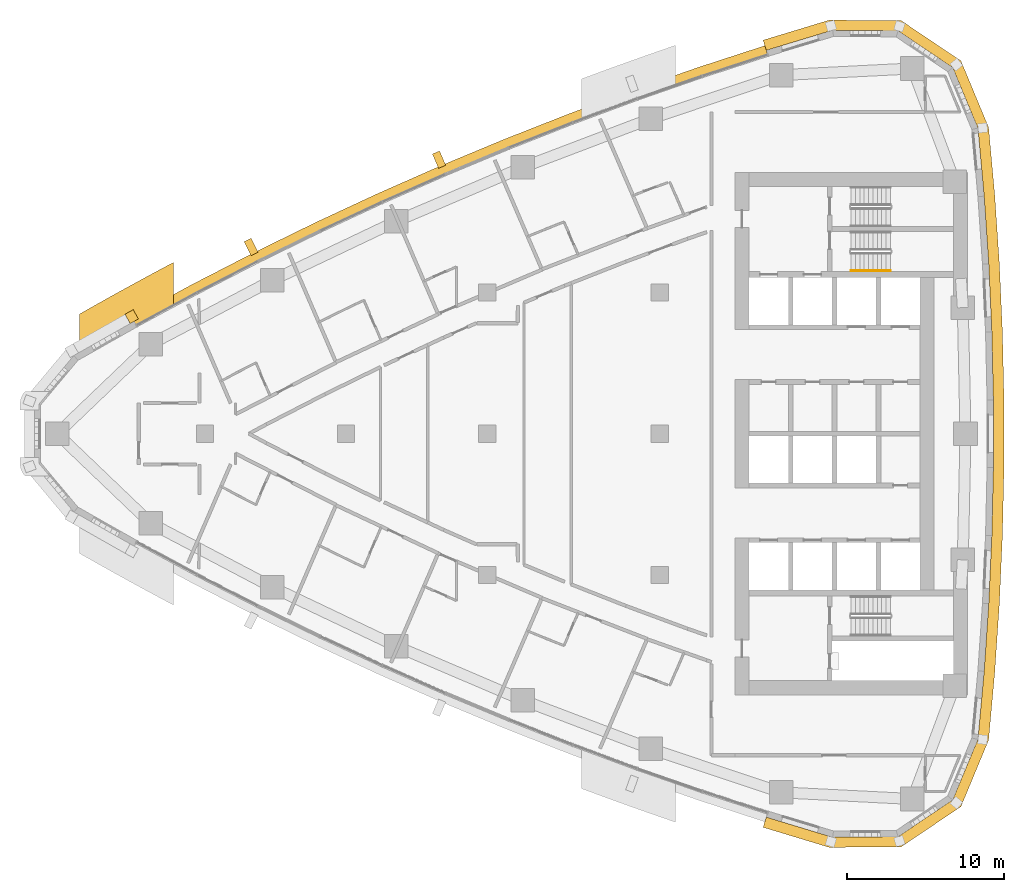
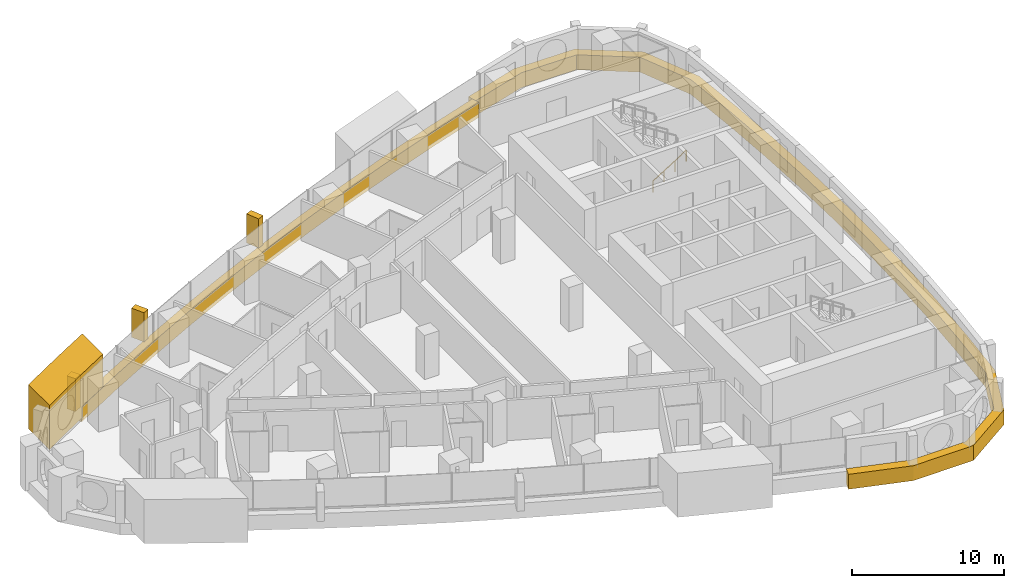
# One storey, part 16 of 17: 6 coverings, 1 railing.
"""IFC4 building model written with IfcOpenShell, lengths in metres."""

import ifcopenshell
import ifcopenshell.guid

model = None  # the IFC model being written
_history = None  # IfcOwnerHistory: only IFC2X3 demands one
_inside = {}  # id of a spatial element -> (the spatial element, [elements in it])
_under = {}  # id of a project, library or spatial element -> (it, [spatial elements below it])
_declared = {}  # id of a project -> (the project, [libraries it declares])
_typed = {}  # id of a type object -> (the type object, [elements of that type])
_made_of = {}  # id of a material, layer set ... -> (it, [elements and type objects made of it])


def new_model(schema):
    """Start an empty IFC model of exactly this schema.

    Asked for "IFC4X3", IfcOpenShell would pick the latest addendum, in which some entities
    have other attributes; the version numbers below select the first issue.
    IFC2X3 requires an IfcOwnerHistory on every rooted entity: one is made here for all.
    """
    global model, _history
    if schema == "IFC4X3":
        model = ifcopenshell.file(schema_version=(4, 3, 0, 0))
    else:
        model = ifcopenshell.file(schema=schema)
    _inside.clear()
    _under.clear()
    _declared.clear()
    _typed.clear()
    _made_of.clear()
    _history = None
    if model.schema == "IFC2X3":
        org = make("IfcOrganization", Name="unknown")
        user = make(
            "IfcPersonAndOrganization",
            ThePerson=make("IfcPerson", FamilyName="unknown"),
            TheOrganization=org,
        )
        app = make(
            "IfcApplication",
            ApplicationDeveloper=org,
            Version="unknown",
            ApplicationFullName="unknown",
            ApplicationIdentifier="unknown",
        )
        _history = make(
            "IfcOwnerHistory",
            OwningUser=user,
            OwningApplication=app,
            ChangeAction="ADDED",
            CreationDate=0,
        )
    return model


def make(cls, **values):
    """One entity of the class cls with the attributes given. An attribute that is None is left unset."""
    return model.create_entity(
        cls, **{name: value for name, value in values.items() if value is not None}
    )


def rooted(cls, **values):
    """An entity with a GlobalId (a new one), such as an element, a storey or a relation."""
    return make(cls, GlobalId=ifcopenshell.guid.new(), OwnerHistory=_history, **values)


def si_unit(unit_type, name, prefix=None):
    """IfcSIUnit, for example si_unit("LENGTHUNIT", "METRE", prefix="MILLI")."""
    return make("IfcSIUnit", UnitType=unit_type, Prefix=prefix, Name=name)


def assignment(units):
    """IfcUnitAssignment: the units of a project."""
    return None if units is None else make("IfcUnitAssignment", Units=units)


def point(xyz):
    """IfcCartesianPoint."""
    return None if xyz is None else make("IfcCartesianPoint", Coordinates=xyz)


def direction(xyz):
    """IfcDirection."""
    return None if xyz is None else make("IfcDirection", DirectionRatios=xyz)


def frame(location, z_axis=None, x_axis=None):
    """IfcAxis2Placement3D, a coordinate frame: its origin and axes. An axis left out is left unset."""
    return make(
        "IfcAxis2Placement3D",
        Location=point(location),
        Axis=direction(z_axis),
        RefDirection=direction(x_axis),
    )


def frame_2d(location, x_axis=None):
    """IfcAxis2Placement2D, a coordinate frame in the plane: its origin and x axis."""
    return make(
        "IfcAxis2Placement2D", Location=point(location), RefDirection=direction(x_axis)
    )


def origin():
    """The frame at (0, 0, 0) with its axes left unset."""
    return frame((0.0, 0.0, 0.0))


def origin_2d():
    """The frame at (0, 0) in the plane with its x axis left unset."""
    return frame_2d((0.0, 0.0))


def place(relative_to, where):
    """IfcLocalPlacement: puts the frame where relative to a parent placement (None: the world)."""
    return make(
        "IfcLocalPlacement", PlacementRelTo=relative_to, RelativePlacement=where
    )


def context(
    kind, dimensions, precision=None, world=None, true_north=None, identifier=None
):
    """IfcGeometricRepresentationContext, for example the 3D "Model" context."""
    return make(
        "IfcGeometricRepresentationContext",
        ContextIdentifier=identifier,
        ContextType=kind,
        CoordinateSpaceDimension=dimensions,
        Precision=precision,
        WorldCoordinateSystem=world,
        TrueNorth=true_north,
    )


def subcontext(parent, identifier, kind, view, scale=None):
    """IfcGeometricRepresentationSubContext, for example "Body" below "Model"."""
    return make(
        "IfcGeometricRepresentationSubContext",
        ContextIdentifier=identifier,
        ContextType=kind,
        ParentContext=parent,
        TargetScale=scale,
        TargetView=view,
    )


def project(units=None, contexts=None):
    """IfcProject with its units and contexts."""
    return rooted(
        "IfcProject",
        Name="project",
        RepresentationContexts=contexts,
        UnitsInContext=assignment(units),
    )


def spatial(cls, under=None, at=None, **own):
    """A site, building, storey or space (cls), placed at a placement, below another one or the project."""
    s = rooted(cls, ObjectPlacement=at, **own)
    if under is not None:
        _under.setdefault(under.id(), (under, []))[1].append(s)
    return s


def polyline(points):
    """IfcPolyline through the points."""
    return make("IfcPolyline", Points=[point(p) for p in points])


def profile(cls, at=None, kind="AREA", **sizes):
    """A parametric profile (cls). Its sizes go by their IFC names, for example OverallWidth=200.0."""
    return make(cls, ProfileType=kind, Position=at, **sizes)


def rectangle(**sizes):
    """IfcRectangleProfileDef."""
    return profile("IfcRectangleProfileDef", **sizes)


def circle(**sizes):
    """IfcCircleProfileDef."""
    return profile("IfcCircleProfileDef", **sizes)


def outline(outer, holes=None, kind="AREA"):
    """IfcArbitraryClosedProfileDef: a profile drawn as a closed curve; with holes, ...WithVoids."""
    if holes is None:
        return make("IfcArbitraryClosedProfileDef", ProfileType=kind, OuterCurve=outer)
    return make(
        "IfcArbitraryProfileDefWithVoids",
        ProfileType=kind,
        OuterCurve=outer,
        InnerCurves=holes,
    )


def extrude(swept, where, along, depth):
    """IfcExtrudedAreaSolid: the profile swept, set in the frame where, extruded along a direction by depth."""
    return make(
        "IfcExtrudedAreaSolid",
        SweptArea=swept,
        Position=where,
        ExtrudedDirection=direction(along),
        Depth=depth,
    )


def shape(context_of_items, identifier, shape_type, items):
    """IfcShapeRepresentation: the items that make up one representation, for example the "Body"."""
    return make(
        "IfcShapeRepresentation",
        ContextOfItems=context_of_items,
        RepresentationIdentifier=identifier,
        RepresentationType=shape_type,
        Items=items,
    )


def material(Name=None, Category=None):
    """IfcMaterial."""
    return make("IfcMaterial", Name=Name, Category=Category)


def layer(
    of_material, thickness, ventilated=None, Name=None, Category=None, Priority=None
):
    """IfcMaterialLayer: one layer of a wall or slab, of a material (None: an air gap)."""
    return make(
        "IfcMaterialLayer",
        Material=of_material,
        LayerThickness=thickness,
        IsVentilated=ventilated,
        Name=Name,
        Category=Category,
        Priority=Priority,
    )


def layer_set(layers, Name=None):
    """IfcMaterialLayerSet."""
    return make("IfcMaterialLayerSet", MaterialLayers=layers, LayerSetName=Name)


def made_of(thing, what):
    """Note that an element or type object is made of a material, layer set ...; save() writes the relation."""
    if what is not None:
        _made_of.setdefault(what.id(), (what, []))[1].append(thing)
    return thing


def type_object(cls, material=None, **own):
    """A type object (cls), such as IfcWallType, which elements share."""
    return made_of(rooted(cls, **own), material)


def element(
    cls,
    number,
    at=None,
    inside=None,
    cuts=None,
    type_object=None,
    material=None,
    context=None,
    identifier="Body",
    shape_type=None,
    held_by="IfcProductDefinitionShape",
    body=None,
    shapes=None,
    **own,
):
    """One element of the class cls, such as IfcWall. Its Tag is "e" and its number.

    at: its placement. inside: the storey or other place that contains it. cuts: it is an
    opening in that element (IfcRelVoidsElement). A single representation is given by context,
    identifier, shape_type and body (its items); several are given by shapes. held_by: the class
    of the entity that holds the representations. save() writes the other relations.
    """
    e = rooted(cls, Tag="e%d" % number, ObjectPlacement=at, **own)
    if body is not None:
        shapes = [shape(context, identifier, shape_type, body)]
    if shapes is not None:
        e.Representation = make(held_by, Representations=shapes)
    if inside is not None:
        _inside.setdefault(inside.id(), (inside, []))[1].append(e)
    if cuts is not None:
        rooted(
            "IfcRelVoidsElement", RelatingBuildingElement=cuts, RelatedOpeningElement=e
        )
    if type_object is not None:
        _typed.setdefault(type_object.id(), (type_object, []))[1].append(e)
    return made_of(e, material)


def aggregate(whole, parts):
    """IfcRelAggregates: a whole, such as a stair, and the parts it consists of."""
    return rooted("IfcRelAggregates", RelatingObject=whole, RelatedObjects=parts)


def save(model, path):
    """Write the relations noted so far, then the file.

    IfcRelAggregates (storeys below a building ...), IfcRelContainedInSpatialStructure (elements
    in a storey), IfcRelDefinesByType, IfcRelAssociatesMaterial and IfcRelDeclares: one each for
    every whole, place, type object, material and project.
    """
    for whole, parts in _under.values():
        aggregate(whole, parts)
    for where, things in _inside.values():
        rooted(
            "IfcRelContainedInSpatialStructure",
            RelatedElements=things,
            RelatingStructure=where,
        )
    for kind, things in _typed.values():
        rooted("IfcRelDefinesByType", RelatedObjects=things, RelatingType=kind)
    for what, things in _made_of.values():
        rooted("IfcRelAssociatesMaterial", RelatedObjects=things, RelatingMaterial=what)
    for by, libraries in _declared.values():
        rooted("IfcRelDeclares", RelatingContext=by, RelatedDefinitions=libraries)
    model.write(path)


model = new_model("IFC4")

# Units and contexts
model_context = context("Model", 3, precision=1e-05, world=origin(), true_north=direction((0.0, 1.0)))
body_context = subcontext(model_context, "Body", "Model", "MODEL_VIEW")
ifc_project = project(units=[si_unit("LENGTHUNIT", "METRE"), si_unit("AREAUNIT", "SQUARE_METRE"), si_unit("VOLUMEUNIT", "CUBIC_METRE"), si_unit("PLANEANGLEUNIT", "RADIAN"), si_unit("MASSUNIT", "GRAM", prefix="KILO")], contexts=[model_context])

# Site, building, storey
site_placement = place(None, origin())
site = spatial("IfcSite", under=ifc_project, at=site_placement, CompositionType="ELEMENT")
building_placement = place(site_placement, origin())
building = spatial("IfcBuilding", under=site, at=building_placement, Name="Ostrand Prow Hotel Tower", CompositionType="ELEMENT")
storey_placement = place(building_placement, frame((0.0, 0.0, 137.300048828125)))
storey = spatial("IfcBuildingStorey", under=building, at=storey_placement, Name="L33", CompositionType="ELEMENT", Elevation=137.300048828125)

# Coverings
ifc_material_1 = material(Name="Bronze anodised aluminium cladding", Category="aluminium")
ifc_layer_1 = layer(ifc_material_1, 0.60009765625)
ifc_layer_set_1 = layer_set([ifc_layer_1], Name="Bronze anodised aluminium cladding")
covering_type_1 = type_object("IfcCoveringType", Name="Bronze spandrel band 1200x600", PredefinedType="CLADDING", material=ifc_layer_set_1)
covering_1_placement = place(storey_placement, frame((0.0, 0.0, -0.300048828125)))
element("IfcCovering", 1, at=covering_1_placement, inside=storey, type_object=covering_type_1, Name="Spandrel band N1", PredefinedType="CLADDING", context=body_context, shape_type="SweptSolid", body=[
    extrude(outline(polyline([(51.705322265625, 24.74560546875), (47.522705078125, 23.385009765625), (43.368408203125, 21.9404296875), (39.243896484375, 20.41259765625), (35.15087890625, 18.80224609375), (31.091064453125, 17.110107421875), (27.06591796875, 15.336669921875), (23.077392578125, 13.482666015625), (19.126953125, 11.548828125), (15.21630859375, 9.535888671875), (11.3466796875, 7.445068359375), (11.63720703125, 6.920166015625), (15.49609375, 9.00537109375), (19.396240234375, 11.0126953125), (23.335693359375, 12.941162109375), (27.3134765625, 14.7900390625), (31.327392578125, 16.55859375), (35.376220703125, 18.24609375), (39.457763671875, 19.85205078125), (43.571044921875, 21.375732421875), (47.714111328125, 22.81640625), (51.88525390625, 24.17333984375), (51.705322265625, 24.74560546875)])), origin(), (0.0, 0.0, 1.0), 1.199951171875),
])
covering_2_placement = place(storey_placement, frame((0.0, 0.0, -0.300048828125)))
element("IfcCovering", 2, at=covering_2_placement, inside=storey, type_object=covering_type_1, Name="Spandrel band back 1", PredefinedType="CLADDING", context=body_context, shape_type="SweptSolid", body=[
    extrude(outline(polyline([(51.594970703125, -25.0966796875), (55.811279296875, -26.375244140625), (60.402099609375, -26.339111328125), (64.211181640625, -23.77587890625), (65.973388671875, -19.53662109375), (66.3662109375, -15.205322265625), (66.66064453125, -10.86669921875), (66.857177734375, -6.522216796875), (66.95556640625, -2.17431640625), (66.95556640625, 2.17431640625), (66.857177734375, 6.522216796875), (66.66064453125, 10.86669921875), (66.3662109375, 15.205322265625), (65.973388671875, 19.53662109375), (64.211181640625, 23.77587890625), (60.402099609375, 26.339111328125), (55.811279296875, 26.375244140625), (51.594970703125, 25.0966796875), (51.798828125, 24.447998046875), (56.001953125, 25.722412109375), (60.201171875, 25.689697265625), (63.68505859375, 23.34521484375), (65.296875, 19.467529296875), (65.688232421875, 15.151611328125), (65.981689453125, 10.828125), (66.177490234375, 6.4990234375), (66.275634765625, 2.166748046875), (66.275634765625, -2.166748046875), (66.177490234375, -6.4990234375), (65.981689453125, -10.828125), (65.688232421875, -15.151611328125), (65.296875, -19.467529296875), (63.68505859375, -23.34521484375), (60.201171875, -25.689697265625), (56.001953125, -25.722412109375), (51.798828125, -24.447998046875), (51.594970703125, -25.0966796875)])), origin(), (0.0, 0.0, 1.0), 1.199951171875),
])
ifc_material_2 = material(Name="Limestone cladding", Category="masonry")
ifc_layer_2 = layer(ifc_material_2, 5.0)
ifc_layer_set_2 = layer_set([ifc_layer_2], Name="Limestone cladding")
covering_type_2 = type_object("IfcCoveringType", Name="Portal jamb pilaster limestone", PredefinedType="CLADDING", material=ifc_layer_set_2)
covering_3_placement = place(storey_placement, origin())
element("IfcCovering", 3, at=covering_3_placement, inside=storey, type_object=covering_type_2, Name="Portal jamb NA L33", PredefinedType="CLADDING", context=body_context, shape_type="SweptSolid", body=[
    extrude(outline(polyline([(8.0, 4.861572265625), (9.0, 5.436767578125), (10.0, 6.0048828125), (11.0, 6.566162109375), (12.0, 7.12060546875), (13.0, 7.66796875), (14.0, 8.208740234375), (14.0, 10.92919921875), (13.0, 10.39599609375), (12.0, 9.856201171875), (11.0, 9.3095703125), (10.0, 8.75634765625), (9.0, 8.1962890625), (8.0, 7.62939453125), (8.0, 4.861572265625)])), origin(), (0.0, 0.0, 1.0), 3.550048828125),
])
ifc_material_3 = material(Name="Limestone cladding", Category="masonry")
ifc_layer_3 = layer(ifc_material_3, 0.5)
ifc_layer_set_3 = layer_set([ifc_layer_3], Name="Limestone cladding")
covering_type_3 = type_object("IfcCoveringType", Name="Precast stone fin 500x900", PredefinedType="CLADDING", material=ifc_layer_set_3)
covering_4_placement = place(storey_placement, frame((31.13037109375, 17.018310546875, 0.89990234375), z_axis=(0.0, 0.0, 1.0), x_axis=(-0.394096106618, 0.919069235013, 0.0)))
element("IfcCovering", 4, at=covering_4_placement, inside=storey, type_object=covering_type_3, Name="Stone fin N 6", PredefinedType="CLADDING", context=body_context, shape_type="SweptSolid", body=[
    extrude(rectangle(XDim=0.999755859375, YDim=0.5, at=frame_2d((0.5, 0.0))), origin(), (0.0, 0.0, 1.0), 2.35009765625),
])
covering_5_placement = place(storey_placement, frame((19.171875, 11.45947265625, 0.89990234375), z_axis=(0.0, 0.0, 1.0), x_axis=(-0.448677667264, 0.893693656069, 0.0)))
element("IfcCovering", 5, at=covering_5_placement, inside=storey, type_object=covering_type_3, Name="Stone fin N 9", PredefinedType="CLADDING", context=body_context, shape_type="SweptSolid", body=[
    extrude(rectangle(XDim=1.0, YDim=0.5, at=frame_2d((0.5, 0.0))), origin(), (0.0, 0.0, 1.0), 2.35009765625),
])
ifc_material_4 = material(Name="Limestone cladding", Category="masonry")
ifc_layer_4 = layer(ifc_material_4, 0.60009765625)
ifc_layer_set_4 = layer_set([ifc_layer_4], Name="Limestone cladding")
covering_type_4 = type_object("IfcCoveringType", Name="Precast stone prow rib 600x600", PredefinedType="CLADDING", material=ifc_layer_set_4)
covering_6_placement = place(storey_placement, frame((11.497802734375, 7.171875, 0.599853515625), z_axis=(0.0, 0.0, 1.0), x_axis=(-0.484301161624, 0.874901357211, 0.0)))
element("IfcCovering", 6, at=covering_6_placement, inside=storey, type_object=covering_type_4, Name="Stone prow rib 1", PredefinedType="CLADDING", context=body_context, shape_type="SweptSolid", body=[
    extrude(rectangle(XDim=0.679931640625, YDim=0.60009765625, at=frame_2d((0.33984375, 0.0))), origin(), (0.0, 0.0, 1.0), 2.650146484375),
])

# Railing
ifc_material_5 = material(Name="Stainless steel", Category="steel")
railing_type = type_object("IfcRailingType", Name="Stair handrail 900", PredefinedType="HANDRAIL", material=ifc_material_5)
railing_placement = place(storey_placement, frame((57.199951171875, 10.39990234375, 0.177490234375)))
element("IfcRailing", 7, at=railing_placement, inside=storey, type_object=railing_type, Name="L33 ST1C stair handrail 1", PredefinedType="HANDRAIL", context=body_context, shape_type="SweptSolid", body=[
    extrude(circle(Radius=0.02392578125, at=origin_2d()), frame((0.0, 0.0, 0.8759765625), z_axis=(0.84460694969, 0.0, 0.535386869969), x_axis=(0.0, 1.0, 0.0)), (0.0, 0.0, 1.0), 2.983642578125),
    extrude(circle(Radius=0.02099609375, at=origin_2d()), origin(), (0.0, 0.0, 1.0), 0.851806640625),
    extrude(circle(Radius=0.02099609375, at=origin_2d()), frame((0.840087890625, 0.0, 0.532470703125)), (0.0, 0.0, 1.0), 0.851806640625),
    extrude(circle(Radius=0.02099609375, at=origin_2d()), frame((1.679931640625, 0.0, 1.06494140625)), (0.0, 0.0, 1.0), 0.851806640625),
    extrude(circle(Radius=0.02099609375, at=origin_2d()), frame((2.52001953125, 0.0, 1.597412109375)), (0.0, 0.0, 1.0), 0.851806640625),
])

save(model, "model.ifc")
